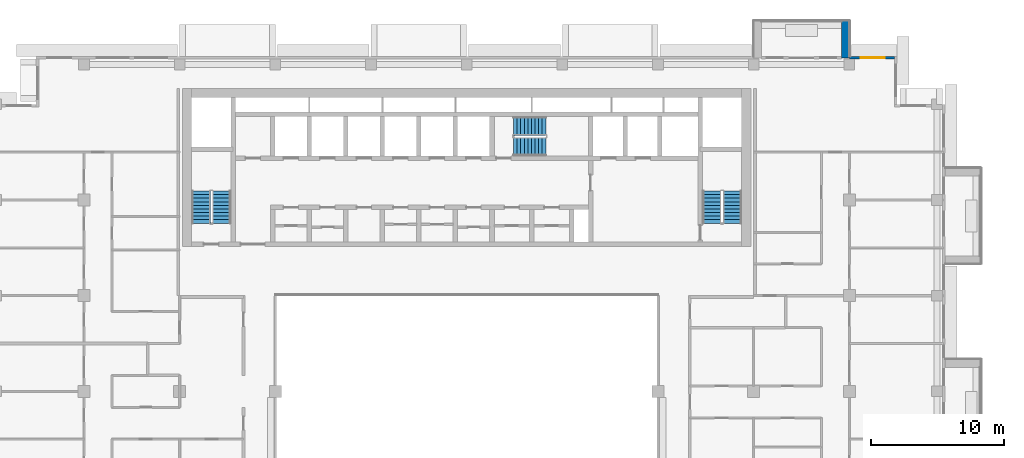
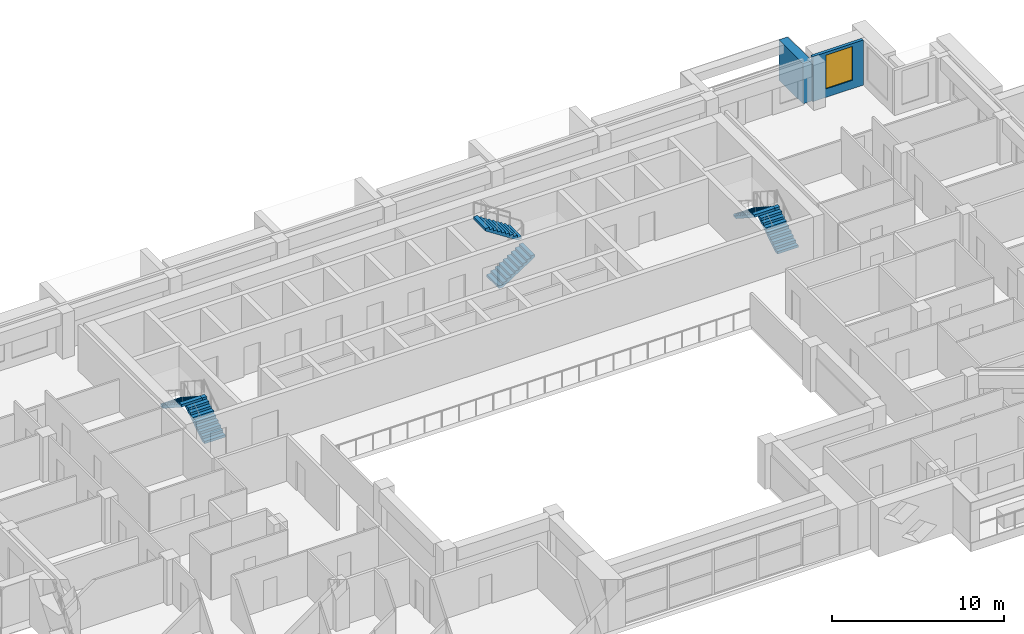
# One storey, part 13 of 20: 6 stair flights, 2 walls, 1 window, 1 opening, 3 elements without a shape of their own.
"""IFC4 building model written with IfcOpenShell, lengths in metres."""

import ifcopenshell
import ifcopenshell.guid

model = None  # the IFC model being written
_history = None  # IfcOwnerHistory: only IFC2X3 demands one
_inside = {}  # id of a spatial element -> (the spatial element, [elements in it])
_under = {}  # id of a project, library or spatial element -> (it, [spatial elements below it])
_declared = {}  # id of a project -> (the project, [libraries it declares])
_typed = {}  # id of a type object -> (the type object, [elements of that type])
_made_of = {}  # id of a material, layer set ... -> (it, [elements and type objects made of it])


def new_model(schema):
    """Start an empty IFC model of exactly this schema.

    Asked for "IFC4X3", IfcOpenShell would pick the latest addendum, in which some entities
    have other attributes; the version numbers below select the first issue.
    IFC2X3 requires an IfcOwnerHistory on every rooted entity: one is made here for all.
    """
    global model, _history
    if schema == "IFC4X3":
        model = ifcopenshell.file(schema_version=(4, 3, 0, 0))
    else:
        model = ifcopenshell.file(schema=schema)
    _inside.clear()
    _under.clear()
    _declared.clear()
    _typed.clear()
    _made_of.clear()
    _history = None
    if model.schema == "IFC2X3":
        org = make("IfcOrganization", Name="unknown")
        user = make(
            "IfcPersonAndOrganization",
            ThePerson=make("IfcPerson", FamilyName="unknown"),
            TheOrganization=org,
        )
        app = make(
            "IfcApplication",
            ApplicationDeveloper=org,
            Version="unknown",
            ApplicationFullName="unknown",
            ApplicationIdentifier="unknown",
        )
        _history = make(
            "IfcOwnerHistory",
            OwningUser=user,
            OwningApplication=app,
            ChangeAction="ADDED",
            CreationDate=0,
        )
    return model


def make(cls, **values):
    """One entity of the class cls with the attributes given. An attribute that is None is left unset."""
    return model.create_entity(
        cls, **{name: value for name, value in values.items() if value is not None}
    )


def rooted(cls, **values):
    """An entity with a GlobalId (a new one), such as an element, a storey or a relation."""
    return make(cls, GlobalId=ifcopenshell.guid.new(), OwnerHistory=_history, **values)


def si_unit(unit_type, name, prefix=None):
    """IfcSIUnit, for example si_unit("LENGTHUNIT", "METRE", prefix="MILLI")."""
    return make("IfcSIUnit", UnitType=unit_type, Prefix=prefix, Name=name)


def assignment(units):
    """IfcUnitAssignment: the units of a project."""
    return None if units is None else make("IfcUnitAssignment", Units=units)


def point(xyz):
    """IfcCartesianPoint."""
    return None if xyz is None else make("IfcCartesianPoint", Coordinates=xyz)


def direction(xyz):
    """IfcDirection."""
    return None if xyz is None else make("IfcDirection", DirectionRatios=xyz)


def frame(location, z_axis=None, x_axis=None):
    """IfcAxis2Placement3D, a coordinate frame: its origin and axes. An axis left out is left unset."""
    return make(
        "IfcAxis2Placement3D",
        Location=point(location),
        Axis=direction(z_axis),
        RefDirection=direction(x_axis),
    )


def frame_2d(location, x_axis=None):
    """IfcAxis2Placement2D, a coordinate frame in the plane: its origin and x axis."""
    return make(
        "IfcAxis2Placement2D", Location=point(location), RefDirection=direction(x_axis)
    )


def origin():
    """The frame at (0, 0, 0) with its axes left unset."""
    return frame((0.0, 0.0, 0.0))


def place(relative_to, where):
    """IfcLocalPlacement: puts the frame where relative to a parent placement (None: the world)."""
    return make(
        "IfcLocalPlacement", PlacementRelTo=relative_to, RelativePlacement=where
    )


def context(
    kind, dimensions, precision=None, world=None, true_north=None, identifier=None
):
    """IfcGeometricRepresentationContext, for example the 3D "Model" context."""
    return make(
        "IfcGeometricRepresentationContext",
        ContextIdentifier=identifier,
        ContextType=kind,
        CoordinateSpaceDimension=dimensions,
        Precision=precision,
        WorldCoordinateSystem=world,
        TrueNorth=true_north,
    )


def subcontext(parent, identifier, kind, view, scale=None):
    """IfcGeometricRepresentationSubContext, for example "Body" below "Model"."""
    return make(
        "IfcGeometricRepresentationSubContext",
        ContextIdentifier=identifier,
        ContextType=kind,
        ParentContext=parent,
        TargetScale=scale,
        TargetView=view,
    )


def project(units=None, contexts=None):
    """IfcProject with its units and contexts."""
    return rooted(
        "IfcProject",
        Name="project",
        RepresentationContexts=contexts,
        UnitsInContext=assignment(units),
    )


def spatial(cls, under=None, at=None, **own):
    """A site, building, storey or space (cls), placed at a placement, below another one or the project."""
    s = rooted(cls, ObjectPlacement=at, **own)
    if under is not None:
        _under.setdefault(under.id(), (under, []))[1].append(s)
    return s


def polyline(points):
    """IfcPolyline through the points."""
    return make("IfcPolyline", Points=[point(p) for p in points])


def profile(cls, at=None, kind="AREA", **sizes):
    """A parametric profile (cls). Its sizes go by their IFC names, for example OverallWidth=200.0."""
    return make(cls, ProfileType=kind, Position=at, **sizes)


def rectangle(**sizes):
    """IfcRectangleProfileDef."""
    return profile("IfcRectangleProfileDef", **sizes)


def outline(outer, holes=None, kind="AREA"):
    """IfcArbitraryClosedProfileDef: a profile drawn as a closed curve; with holes, ...WithVoids."""
    if holes is None:
        return make("IfcArbitraryClosedProfileDef", ProfileType=kind, OuterCurve=outer)
    return make(
        "IfcArbitraryProfileDefWithVoids",
        ProfileType=kind,
        OuterCurve=outer,
        InnerCurves=holes,
    )


def extrude(swept, where, along, depth):
    """IfcExtrudedAreaSolid: the profile swept, set in the frame where, extruded along a direction by depth."""
    return make(
        "IfcExtrudedAreaSolid",
        SweptArea=swept,
        Position=where,
        ExtrudedDirection=direction(along),
        Depth=depth,
    )


def shape(context_of_items, identifier, shape_type, items):
    """IfcShapeRepresentation: the items that make up one representation, for example the "Body"."""
    return make(
        "IfcShapeRepresentation",
        ContextOfItems=context_of_items,
        RepresentationIdentifier=identifier,
        RepresentationType=shape_type,
        Items=items,
    )


def material(Name=None, Category=None):
    """IfcMaterial."""
    return make("IfcMaterial", Name=Name, Category=Category)


def layer(
    of_material, thickness, ventilated=None, Name=None, Category=None, Priority=None
):
    """IfcMaterialLayer: one layer of a wall or slab, of a material (None: an air gap)."""
    return make(
        "IfcMaterialLayer",
        Material=of_material,
        LayerThickness=thickness,
        IsVentilated=ventilated,
        Name=Name,
        Category=Category,
        Priority=Priority,
    )


def layer_set(layers, Name=None):
    """IfcMaterialLayerSet."""
    return make("IfcMaterialLayerSet", MaterialLayers=layers, LayerSetName=Name)


def made_of(thing, what):
    """Note that an element or type object is made of a material, layer set ...; save() writes the relation."""
    if what is not None:
        _made_of.setdefault(what.id(), (what, []))[1].append(thing)
    return thing


def type_object(cls, material=None, **own):
    """A type object (cls), such as IfcWallType, which elements share."""
    return made_of(rooted(cls, **own), material)


def element(
    cls,
    number,
    at=None,
    inside=None,
    cuts=None,
    type_object=None,
    material=None,
    context=None,
    identifier="Body",
    shape_type=None,
    held_by="IfcProductDefinitionShape",
    body=None,
    shapes=None,
    **own,
):
    """One element of the class cls, such as IfcWall. Its Tag is "e" and its number.

    at: its placement. inside: the storey or other place that contains it. cuts: it is an
    opening in that element (IfcRelVoidsElement). A single representation is given by context,
    identifier, shape_type and body (its items); several are given by shapes. held_by: the class
    of the entity that holds the representations. save() writes the other relations.
    """
    e = rooted(cls, Tag="e%d" % number, ObjectPlacement=at, **own)
    if body is not None:
        shapes = [shape(context, identifier, shape_type, body)]
    if shapes is not None:
        e.Representation = make(held_by, Representations=shapes)
    if inside is not None:
        _inside.setdefault(inside.id(), (inside, []))[1].append(e)
    if cuts is not None:
        rooted(
            "IfcRelVoidsElement", RelatingBuildingElement=cuts, RelatedOpeningElement=e
        )
    if type_object is not None:
        _typed.setdefault(type_object.id(), (type_object, []))[1].append(e)
    return made_of(e, material)


def fill(opening, filler):
    """IfcRelFillsElement: the door or window that sits in an opening."""
    return rooted(
        "IfcRelFillsElement",
        RelatingOpeningElement=opening,
        RelatedBuildingElement=filler,
    )


def aggregate(whole, parts):
    """IfcRelAggregates: a whole, such as a stair, and the parts it consists of."""
    return rooted("IfcRelAggregates", RelatingObject=whole, RelatedObjects=parts)


def save(model, path):
    """Write the relations noted so far, then the file.

    IfcRelAggregates (storeys below a building ...), IfcRelContainedInSpatialStructure (elements
    in a storey), IfcRelDefinesByType, IfcRelAssociatesMaterial and IfcRelDeclares: one each for
    every whole, place, type object, material and project.
    """
    for whole, parts in _under.values():
        aggregate(whole, parts)
    for where, things in _inside.values():
        rooted(
            "IfcRelContainedInSpatialStructure",
            RelatedElements=things,
            RelatingStructure=where,
        )
    for kind, things in _typed.values():
        rooted("IfcRelDefinesByType", RelatedObjects=things, RelatingType=kind)
    for what, things in _made_of.values():
        rooted("IfcRelAssociatesMaterial", RelatedObjects=things, RelatingMaterial=what)
    for by, libraries in _declared.values():
        rooted("IfcRelDeclares", RelatingContext=by, RelatedDefinitions=libraries)
    model.write(path)


model = new_model("IFC4")

# Units and contexts
model_context = context("Model", 3, precision=1e-05, world=origin(), true_north=direction((0.0, 1.0)))
body_context = subcontext(model_context, "Body", "Model", "MODEL_VIEW")
ifc_project = project(units=[si_unit("LENGTHUNIT", "METRE"), si_unit("AREAUNIT", "SQUARE_METRE"), si_unit("VOLUMEUNIT", "CUBIC_METRE"), si_unit("PLANEANGLEUNIT", "RADIAN"), si_unit("MASSUNIT", "GRAM", prefix="KILO")], contexts=[model_context])

# Site, building, storey
site_placement = place(None, origin())
site = spatial("IfcSite", under=ifc_project, at=site_placement, CompositionType="ELEMENT")
building_placement = place(site_placement, origin())
building = spatial("IfcBuilding", under=site, at=building_placement, Name="Saffron Iwan Residences", CompositionType="ELEMENT")
storey_placement = place(building_placement, frame((0.0, 0.0, 188.5)))
storey = spatial("IfcBuildingStorey", under=building, at=storey_placement, Name="L50", CompositionType="ELEMENT", Elevation=188.5)

# Wall
ifc_material_1 = material(Name="Concrete C50/60 white painted", Category="concrete")
ifc_layer_1 = layer(ifc_material_1, 0.60009765625)
ifc_layer_set_1 = layer_set([ifc_layer_1], Name="Concrete C50/60 white painted")
wall_type_1 = type_object("IfcWallType", Name="BALCONY FIN 600", PredefinedType="SOLIDWALL", material=ifc_layer_set_1)
wall_1_placement = place(storey_placement, frame((78.89990234375, 80.300048828125, 0.0), z_axis=(0.0, 0.0, 1.0), x_axis=(0.0, 1.0, 0.0)))
element("IfcWall", 1, at=wall_1_placement, inside=storey, type_object=wall_type_1, Name="Balcony fin L50 F5-0a", PredefinedType="SOLIDWALL", context=body_context, shape_type="SweptSolid", body=[
    extrude(rectangle(XDim=2.800048828125, YDim=0.60009765625, at=frame_2d((1.39990234375, 0.0))), origin(), (0.0, 0.0, 1.0), 2.85009765625),
])

# Wall, opening, window
ifc_material_2 = material(Name="Concrete C40/50", Category="concrete")
ifc_layer_2 = layer(ifc_material_2, 0.199951171875)
ifc_layer_set_2 = layer_set([ifc_layer_2], Name="Concrete C40/50")
wall_type_2 = type_object("IfcWallType", Name="EXTERNAL WALL 200", PredefinedType="SOLIDWALL", material=ifc_layer_set_2)
wall_2_placement = place(storey_placement, frame((82.60009765625, 80.300048828125, 0.0), z_axis=(0.0, 0.0, 1.0), x_axis=(-1.0, 0.0, 0.0)))
wall_2 = element("IfcWall", 2, at=wall_2_placement, inside=storey, type_object=wall_type_2, Name="External wall L50 F5.0", PredefinedType="SOLIDWALL", context=body_context, shape_type="SweptSolid", body=[
    extrude(rectangle(XDim=3.400146484375, YDim=0.199951171875, at=frame_2d((1.7001953125, 0.0))), origin(), (0.0, 0.0, 1.0), 3.199951171875),
])
opening_placement = place(wall_2_placement, frame((0.72509765625, 0.0, 0.60009765625)))
opening = element("IfcOpeningElement", 3, at=opening_placement, cuts=wall_2, Name="Opening W8", PredefinedType="OPENING", context=body_context, shape_type="SweptSolid", body=[
    extrude(rectangle(XDim=1.800048828125, YDim=2.39990234375, at=frame_2d((0.89990234375, 1.199951171875))), frame((0.0, 0.10986328125, 0.0), z_axis=(0.0, -1.0, 0.0), x_axis=(1.0, 0.0, 0.0)), (0.0, 0.0, 1.0), 0.219970703125),
])
ifc_material_3 = material(Name="Clear glass, laminated double glazed", Category="glass")
window_type = type_object("IfcWindowType", Name="WINDOW 1800 x 2400", PartitioningType="DOUBLE_PANEL_VERTICAL", PredefinedType="WINDOW", material=ifc_material_3)
window_placement = place(opening_placement, origin())
window = element("IfcWindow", 4, at=window_placement, inside=storey, type_object=window_type, Name="Window L50 F5.0", OverallHeight=2.39990234375, OverallWidth=1.800048828125, PartitioningType="DOUBLE_PANEL_VERTICAL", PredefinedType="WINDOW", context=body_context, shape_type="SweptSolid", body=[
    extrude(rectangle(XDim=1.800048828125, YDim=2.39990234375, at=frame_2d((0.89990234375, 1.199951171875))), frame((0.0, 0.030029296875, 0.0), z_axis=(0.0, -1.0, 0.0), x_axis=(1.0, 0.0, 0.0)), (0.0, 0.0, 1.0), 0.06005859375),
])
fill(opening, window)

# Stair, stair flights
ifc_material_4 = material(Name="Concrete C50/60", Category="concrete")
stair_type = type_object("IfcStairType", Name="Stair ST-CORE", PredefinedType="HALF_TURN_STAIR", material=ifc_material_4)
stair_1_placement = place(storey_placement, origin())
stair_1 = element("IfcStair", 5, at=stair_1_placement, inside=storey, type_object=stair_type, Name="L50 Exit Stair ST-W", PredefinedType="HALF_TURN_STAIR")
ifc_layer_3 = layer(ifc_material_4, 0.14990234375)
ifc_layer_set_3 = layer_set([ifc_layer_3], Name="Concrete C50/60")
stair_flight_type = type_object("IfcStairFlightType", Name="Stair flight SFL-RC", PredefinedType="STRAIGHT", material=ifc_layer_set_3)
stair_flight_1_placement = place(storey_placement, frame((31.949951171875, 67.85009765625, 0.0), z_axis=(0.0, 0.0, 1.0), x_axis=(0.0, 1.0, 0.0)))
stair_flight_1 = element("IfcStairFlight", 6, at=stair_flight_1_placement, type_object=stair_flight_type, Name="ST-W flight 1", NumberOfRisers=10, NumberOfTreads=9, PredefinedType="STRAIGHT", RiserHeight=0.175, TreadLength=0.27, context=body_context, shape_type="SweptSolid", body=[
    extrude(outline(polyline([(0.0, 0.0), (0.0, 0.175048828125), (0.27001953125, 0.175048828125), (0.27001953125, 0.35009765625), (0.5400390625, 0.35009765625), (0.5400390625, 0.52490234375), (0.81005859375, 0.52490234375), (0.81005859375, 0.699951171875), (1.080078125, 0.699951171875), (1.080078125, 0.875), (1.35009765625, 0.875), (1.35009765625, 1.050048828125), (1.6201171875, 1.050048828125), (1.6201171875, 1.22509765625), (1.889892578125, 1.22509765625), (1.889892578125, 1.39990234375), (2.159912109375, 1.39990234375), (2.159912109375, 1.574951171875), (2.429931640625, 1.574951171875), (2.429931640625, 1.75), (2.429931640625, 1.396484375), (0.275634765625, 0.0), (0.0, 0.0)])), frame((0.0, 0.699951171875, 0.0), z_axis=(0.0, -1.0, 0.0), x_axis=(1.0, 0.0, 0.0)), (0.0, 0.0, 1.0), 1.39990234375),
])
stair_flight_2_placement = place(storey_placement, frame((30.39990234375, 70.280029296875, 1.75), z_axis=(0.0, 0.0, 1.0), x_axis=(0.0, -1.0, 0.0)))
stair_flight_2 = element("IfcStairFlight", 7, at=stair_flight_2_placement, type_object=stair_flight_type, Name="ST-W flight 2", NumberOfRisers=10, NumberOfTreads=9, PredefinedType="STRAIGHT", RiserHeight=0.175, TreadLength=0.27, context=body_context, shape_type="SweptSolid", body=[
    extrude(outline(polyline([(0.0, 0.0), (0.0, 0.175048828125), (0.27001953125, 0.175048828125), (0.27001953125, 0.35009765625), (0.5400390625, 0.35009765625), (0.5400390625, 0.52490234375), (0.81005859375, 0.52490234375), (0.81005859375, 0.699951171875), (1.080078125, 0.699951171875), (1.080078125, 0.875), (1.35009765625, 0.875), (1.35009765625, 1.050048828125), (1.6201171875, 1.050048828125), (1.6201171875, 1.22509765625), (1.889892578125, 1.22509765625), (1.889892578125, 1.39990234375), (2.159912109375, 1.39990234375), (2.159912109375, 1.574951171875), (2.429931640625, 1.574951171875), (2.429931640625, 1.75), (2.429931640625, 1.396484375), (0.275634765625, 0.0), (0.0, 0.0)])), frame((0.0, 0.699951171875, 0.0), z_axis=(0.0, -1.0, 0.0), x_axis=(1.0, 0.0, 0.0)), (0.0, 0.0, 1.0), 1.39990234375),
])
aggregate(stair_1, [stair_flight_1, stair_flight_2])

stair_2_placement = place(storey_placement, origin())
stair_2 = element("IfcStair", 8, at=stair_2_placement, inside=storey, type_object=stair_type, Name="L50 Exit Stair ST-C", PredefinedType="HALF_TURN_STAIR")
stair_flight_3_placement = place(storey_placement, frame((53.925048828125, 73.625, 0.0), z_axis=(0.0, 0.0, 1.0), x_axis=(1.0, 0.0, 0.0)))
stair_flight_3 = element("IfcStairFlight", 9, at=stair_flight_3_placement, type_object=stair_flight_type, Name="ST-C flight 1", NumberOfRisers=10, NumberOfTreads=9, PredefinedType="STRAIGHT", RiserHeight=0.175, TreadLength=0.27, context=body_context, shape_type="SweptSolid", body=[
    extrude(outline(polyline([(0.0, 0.0), (0.0, 0.175048828125), (0.27001953125, 0.175048828125), (0.27001953125, 0.35009765625), (0.5400390625, 0.35009765625), (0.5400390625, 0.52490234375), (0.81005859375, 0.52490234375), (0.81005859375, 0.699951171875), (1.080078125, 0.699951171875), (1.080078125, 0.875), (1.35009765625, 0.875), (1.35009765625, 1.050048828125), (1.6201171875, 1.050048828125), (1.6201171875, 1.22509765625), (1.889892578125, 1.22509765625), (1.889892578125, 1.39990234375), (2.159912109375, 1.39990234375), (2.159912109375, 1.574951171875), (2.429931640625, 1.574951171875), (2.429931640625, 1.75), (2.429931640625, 1.396484375), (0.275634765625, 0.0), (0.0, 0.0)])), frame((0.0, 0.699951171875, 0.0), z_axis=(0.0, -1.0, 0.0), x_axis=(1.0, 0.0, 0.0)), (0.0, 0.0, 1.0), 1.39990234375),
])
stair_flight_4_placement = place(storey_placement, frame((56.35498046875, 75.175048828125, 1.75), z_axis=(0.0, 0.0, 1.0), x_axis=(-1.0, 0.0, 0.0)))
stair_flight_4 = element("IfcStairFlight", 10, at=stair_flight_4_placement, type_object=stair_flight_type, Name="ST-C flight 2", NumberOfRisers=10, NumberOfTreads=9, PredefinedType="STRAIGHT", RiserHeight=0.175, TreadLength=0.27, context=body_context, shape_type="SweptSolid", body=[
    extrude(outline(polyline([(0.0, 0.0), (0.0, 0.175048828125), (0.27001953125, 0.175048828125), (0.27001953125, 0.35009765625), (0.5400390625, 0.35009765625), (0.5400390625, 0.52490234375), (0.81005859375, 0.52490234375), (0.81005859375, 0.699951171875), (1.080078125, 0.699951171875), (1.080078125, 0.875), (1.35009765625, 0.875), (1.35009765625, 1.050048828125), (1.6201171875, 1.050048828125), (1.6201171875, 1.22509765625), (1.889892578125, 1.22509765625), (1.889892578125, 1.39990234375), (2.159912109375, 1.39990234375), (2.159912109375, 1.574951171875), (2.429931640625, 1.574951171875), (2.429931640625, 1.75), (2.429931640625, 1.396484375), (0.275634765625, 0.0), (0.0, 0.0)])), frame((0.0, 0.699951171875, 0.0), z_axis=(0.0, -1.0, 0.0), x_axis=(1.0, 0.0, 0.0)), (0.0, 0.0, 1.0), 1.39990234375),
])
aggregate(stair_2, [stair_flight_3, stair_flight_4])

stair_3_placement = place(storey_placement, origin())
stair_3 = element("IfcStair", 11, at=stair_3_placement, inside=storey, type_object=stair_type, Name="L50 Exit Stair ST-E", PredefinedType="HALF_TURN_STAIR")
stair_flight_5_placement = place(storey_placement, frame((70.39990234375, 67.85009765625, 0.0), z_axis=(0.0, 0.0, 1.0), x_axis=(0.0, 1.0, 0.0)))
stair_flight_5 = element("IfcStairFlight", 12, at=stair_flight_5_placement, type_object=stair_flight_type, Name="ST-E flight 1", NumberOfRisers=10, NumberOfTreads=9, PredefinedType="STRAIGHT", RiserHeight=0.175, TreadLength=0.27, context=body_context, shape_type="SweptSolid", body=[
    extrude(outline(polyline([(0.0, 0.0), (0.0, 0.175048828125), (0.27001953125, 0.175048828125), (0.27001953125, 0.35009765625), (0.5400390625, 0.35009765625), (0.5400390625, 0.52490234375), (0.81005859375, 0.52490234375), (0.81005859375, 0.699951171875), (1.080078125, 0.699951171875), (1.080078125, 0.875), (1.35009765625, 0.875), (1.35009765625, 1.050048828125), (1.6201171875, 1.050048828125), (1.6201171875, 1.22509765625), (1.889892578125, 1.22509765625), (1.889892578125, 1.39990234375), (2.159912109375, 1.39990234375), (2.159912109375, 1.574951171875), (2.429931640625, 1.574951171875), (2.429931640625, 1.75), (2.429931640625, 1.396484375), (0.275634765625, 0.0), (0.0, 0.0)])), frame((0.0, 0.699951171875, 0.0), z_axis=(0.0, -1.0, 0.0), x_axis=(1.0, 0.0, 0.0)), (0.0, 0.0, 1.0), 1.39990234375),
])
stair_flight_6_placement = place(storey_placement, frame((68.85009765625, 70.280029296875, 1.75), z_axis=(0.0, 0.0, 1.0), x_axis=(0.0, -1.0, 0.0)))
stair_flight_6 = element("IfcStairFlight", 13, at=stair_flight_6_placement, type_object=stair_flight_type, Name="ST-E flight 2", NumberOfRisers=10, NumberOfTreads=9, PredefinedType="STRAIGHT", RiserHeight=0.175, TreadLength=0.27, context=body_context, shape_type="SweptSolid", body=[
    extrude(outline(polyline([(0.0, 0.0), (0.0, 0.175048828125), (0.27001953125, 0.175048828125), (0.27001953125, 0.35009765625), (0.5400390625, 0.35009765625), (0.5400390625, 0.52490234375), (0.81005859375, 0.52490234375), (0.81005859375, 0.699951171875), (1.080078125, 0.699951171875), (1.080078125, 0.875), (1.35009765625, 0.875), (1.35009765625, 1.050048828125), (1.6201171875, 1.050048828125), (1.6201171875, 1.22509765625), (1.889892578125, 1.22509765625), (1.889892578125, 1.39990234375), (2.159912109375, 1.39990234375), (2.159912109375, 1.574951171875), (2.429931640625, 1.574951171875), (2.429931640625, 1.75), (2.429931640625, 1.396484375), (0.275634765625, 0.0), (0.0, 0.0)])), frame((0.0, 0.699951171875, 0.0), z_axis=(0.0, -1.0, 0.0), x_axis=(1.0, 0.0, 0.0)), (0.0, 0.0, 1.0), 1.39990234375),
])
aggregate(stair_3, [stair_flight_5, stair_flight_6])

save(model, "model.ifc")
